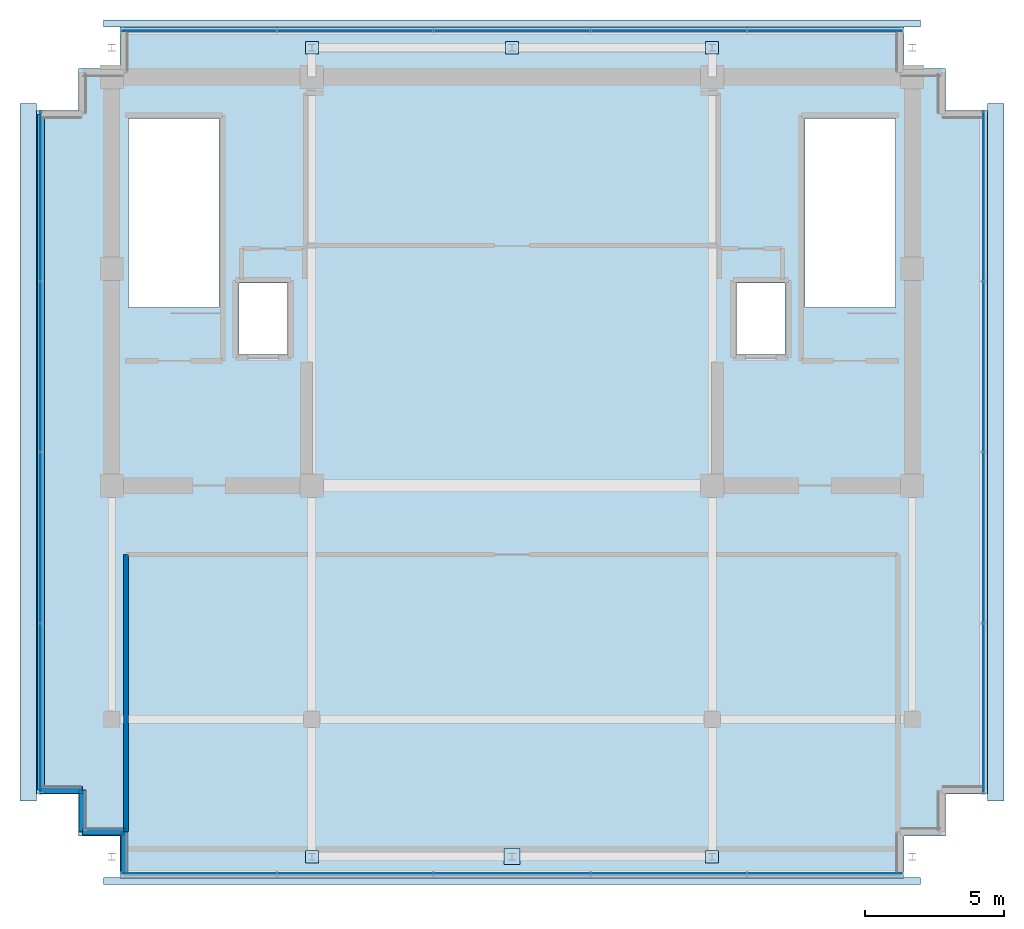
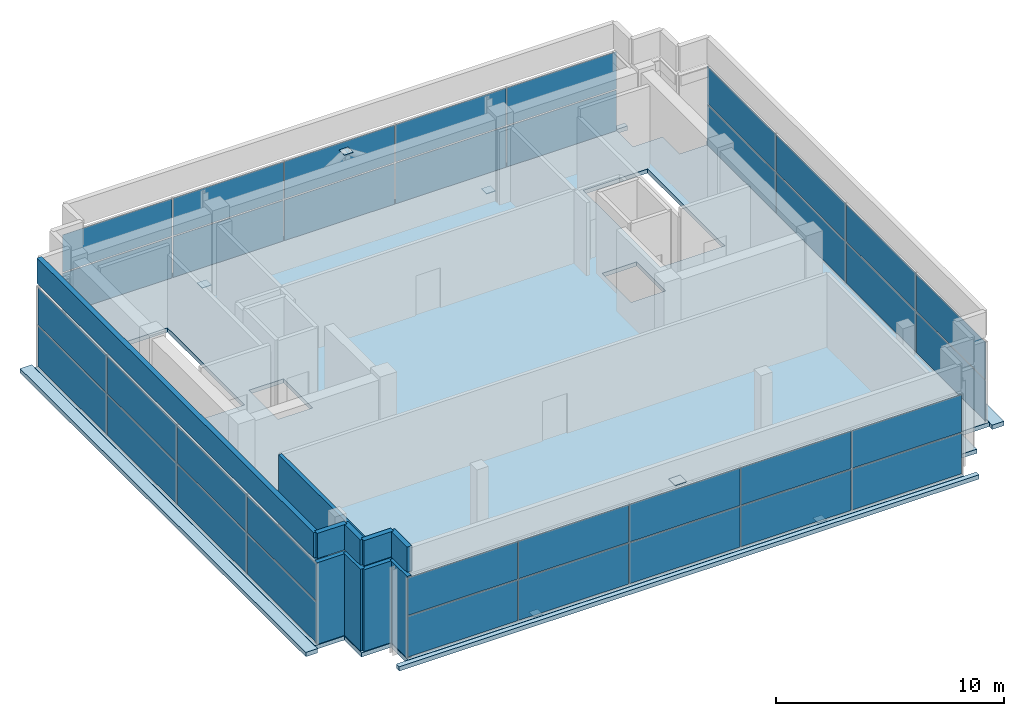
# One storey, part 19 of 22: 42 plates, 10 walls, 5 slabs, 4 elements without a shape of their own.
"""IFC4 building model written with IfcOpenShell, lengths in metres."""

import ifcopenshell
import ifcopenshell.guid

model = None  # the IFC model being written
_history = None  # IfcOwnerHistory: only IFC2X3 demands one
_inside = {}  # id of a spatial element -> (the spatial element, [elements in it])
_under = {}  # id of a project, library or spatial element -> (it, [spatial elements below it])
_declared = {}  # id of a project -> (the project, [libraries it declares])
_typed = {}  # id of a type object -> (the type object, [elements of that type])
_made_of = {}  # id of a material, layer set ... -> (it, [elements and type objects made of it])


def new_model(schema):
    """Start an empty IFC model of exactly this schema.

    Asked for "IFC4X3", IfcOpenShell would pick the latest addendum, in which some entities
    have other attributes; the version numbers below select the first issue.
    IFC2X3 requires an IfcOwnerHistory on every rooted entity: one is made here for all.
    """
    global model, _history
    if schema == "IFC4X3":
        model = ifcopenshell.file(schema_version=(4, 3, 0, 0))
    else:
        model = ifcopenshell.file(schema=schema)
    _inside.clear()
    _under.clear()
    _declared.clear()
    _typed.clear()
    _made_of.clear()
    _history = None
    if model.schema == "IFC2X3":
        org = make("IfcOrganization", Name="unknown")
        user = make(
            "IfcPersonAndOrganization",
            ThePerson=make("IfcPerson", FamilyName="unknown"),
            TheOrganization=org,
        )
        app = make(
            "IfcApplication",
            ApplicationDeveloper=org,
            Version="unknown",
            ApplicationFullName="unknown",
            ApplicationIdentifier="unknown",
        )
        _history = make(
            "IfcOwnerHistory",
            OwningUser=user,
            OwningApplication=app,
            ChangeAction="ADDED",
            CreationDate=0,
        )
    return model


def make(cls, **values):
    """One entity of the class cls with the attributes given. An attribute that is None is left unset."""
    return model.create_entity(
        cls, **{name: value for name, value in values.items() if value is not None}
    )


def rooted(cls, **values):
    """An entity with a GlobalId (a new one), such as an element, a storey or a relation."""
    return make(cls, GlobalId=ifcopenshell.guid.new(), OwnerHistory=_history, **values)


def si_unit(unit_type, name, prefix=None):
    """IfcSIUnit, for example si_unit("LENGTHUNIT", "METRE", prefix="MILLI")."""
    return make("IfcSIUnit", UnitType=unit_type, Prefix=prefix, Name=name)


def assignment(units):
    """IfcUnitAssignment: the units of a project."""
    return None if units is None else make("IfcUnitAssignment", Units=units)


def point(xyz):
    """IfcCartesianPoint."""
    return None if xyz is None else make("IfcCartesianPoint", Coordinates=xyz)


def direction(xyz):
    """IfcDirection."""
    return None if xyz is None else make("IfcDirection", DirectionRatios=xyz)


def frame(location, z_axis=None, x_axis=None):
    """IfcAxis2Placement3D, a coordinate frame: its origin and axes. An axis left out is left unset."""
    return make(
        "IfcAxis2Placement3D",
        Location=point(location),
        Axis=direction(z_axis),
        RefDirection=direction(x_axis),
    )


def frame_2d(location, x_axis=None):
    """IfcAxis2Placement2D, a coordinate frame in the plane: its origin and x axis."""
    return make(
        "IfcAxis2Placement2D", Location=point(location), RefDirection=direction(x_axis)
    )


def origin():
    """The frame at (0, 0, 0) with its axes left unset."""
    return frame((0.0, 0.0, 0.0))


def origin_2d():
    """The frame at (0, 0) in the plane with its x axis left unset."""
    return frame_2d((0.0, 0.0))


def place(relative_to, where):
    """IfcLocalPlacement: puts the frame where relative to a parent placement (None: the world)."""
    return make(
        "IfcLocalPlacement", PlacementRelTo=relative_to, RelativePlacement=where
    )


def context(
    kind, dimensions, precision=None, world=None, true_north=None, identifier=None
):
    """IfcGeometricRepresentationContext, for example the 3D "Model" context."""
    return make(
        "IfcGeometricRepresentationContext",
        ContextIdentifier=identifier,
        ContextType=kind,
        CoordinateSpaceDimension=dimensions,
        Precision=precision,
        WorldCoordinateSystem=world,
        TrueNorth=true_north,
    )


def subcontext(parent, identifier, kind, view, scale=None):
    """IfcGeometricRepresentationSubContext, for example "Body" below "Model"."""
    return make(
        "IfcGeometricRepresentationSubContext",
        ContextIdentifier=identifier,
        ContextType=kind,
        ParentContext=parent,
        TargetScale=scale,
        TargetView=view,
    )


def project(units=None, contexts=None):
    """IfcProject with its units and contexts."""
    return rooted(
        "IfcProject",
        Name="project",
        RepresentationContexts=contexts,
        UnitsInContext=assignment(units),
    )


def spatial(cls, under=None, at=None, **own):
    """A site, building, storey or space (cls), placed at a placement, below another one or the project."""
    s = rooted(cls, ObjectPlacement=at, **own)
    if under is not None:
        _under.setdefault(under.id(), (under, []))[1].append(s)
    return s


def polyline(points):
    """IfcPolyline through the points."""
    return make("IfcPolyline", Points=[point(p) for p in points])


def profile(cls, at=None, kind="AREA", **sizes):
    """A parametric profile (cls). Its sizes go by their IFC names, for example OverallWidth=200.0."""
    return make(cls, ProfileType=kind, Position=at, **sizes)


def rectangle(**sizes):
    """IfcRectangleProfileDef."""
    return profile("IfcRectangleProfileDef", **sizes)


def outline(outer, holes=None, kind="AREA"):
    """IfcArbitraryClosedProfileDef: a profile drawn as a closed curve; with holes, ...WithVoids."""
    if holes is None:
        return make("IfcArbitraryClosedProfileDef", ProfileType=kind, OuterCurve=outer)
    return make(
        "IfcArbitraryProfileDefWithVoids",
        ProfileType=kind,
        OuterCurve=outer,
        InnerCurves=holes,
    )


def extrude(swept, where, along, depth):
    """IfcExtrudedAreaSolid: the profile swept, set in the frame where, extruded along a direction by depth."""
    return make(
        "IfcExtrudedAreaSolid",
        SweptArea=swept,
        Position=where,
        ExtrudedDirection=direction(along),
        Depth=depth,
    )


def shape(context_of_items, identifier, shape_type, items):
    """IfcShapeRepresentation: the items that make up one representation, for example the "Body"."""
    return make(
        "IfcShapeRepresentation",
        ContextOfItems=context_of_items,
        RepresentationIdentifier=identifier,
        RepresentationType=shape_type,
        Items=items,
    )


def source(mapping_origin, context_of_items, identifier, shape_type, items):
    """IfcRepresentationMap: a shape defined once, which mapped items show again and again."""
    return make(
        "IfcRepresentationMap",
        MappingOrigin=mapping_origin,
        MappedRepresentation=shape(context_of_items, identifier, shape_type, items),
    )


def transform(
    local_origin,
    x_axis=None,
    y_axis=None,
    z_axis=None,
    scale=None,
    scale2=None,
    scale3=None,
    uniform=True,
):
    """IfcCartesianTransformationOperator3D, or its non-uniform kind. x_axis, y_axis, z_axis: its Axis1, 2, 3."""
    if uniform:
        return make(
            "IfcCartesianTransformationOperator3D",
            Axis1=direction(x_axis),
            Axis2=direction(y_axis),
            LocalOrigin=point(local_origin),
            Scale=scale,
            Axis3=direction(z_axis),
        )
    return make(
        "IfcCartesianTransformationOperator3DnonUniform",
        Axis1=direction(x_axis),
        Axis2=direction(y_axis),
        LocalOrigin=point(local_origin),
        Scale=scale,
        Axis3=direction(z_axis),
        Scale2=scale2,
        Scale3=scale3,
    )


def mapped(mapping_source, mapping_target):
    """IfcMappedItem: shows the shape of a source again, moved by a transform."""
    return make(
        "IfcMappedItem", MappingSource=mapping_source, MappingTarget=mapping_target
    )


def material(Name=None, Category=None):
    """IfcMaterial."""
    return make("IfcMaterial", Name=Name, Category=Category)


def layer(
    of_material, thickness, ventilated=None, Name=None, Category=None, Priority=None
):
    """IfcMaterialLayer: one layer of a wall or slab, of a material (None: an air gap)."""
    return make(
        "IfcMaterialLayer",
        Material=of_material,
        LayerThickness=thickness,
        IsVentilated=ventilated,
        Name=Name,
        Category=Category,
        Priority=Priority,
    )


def layer_set(layers, Name=None):
    """IfcMaterialLayerSet."""
    return make("IfcMaterialLayerSet", MaterialLayers=layers, LayerSetName=Name)


def made_of(thing, what):
    """Note that an element or type object is made of a material, layer set ...; save() writes the relation."""
    if what is not None:
        _made_of.setdefault(what.id(), (what, []))[1].append(thing)
    return thing


def type_object(cls, material=None, **own):
    """A type object (cls), such as IfcWallType, which elements share."""
    return made_of(rooted(cls, **own), material)


def element(
    cls,
    number,
    at=None,
    inside=None,
    cuts=None,
    type_object=None,
    material=None,
    context=None,
    identifier="Body",
    shape_type=None,
    held_by="IfcProductDefinitionShape",
    body=None,
    shapes=None,
    **own,
):
    """One element of the class cls, such as IfcWall. Its Tag is "e" and its number.

    at: its placement. inside: the storey or other place that contains it. cuts: it is an
    opening in that element (IfcRelVoidsElement). A single representation is given by context,
    identifier, shape_type and body (its items); several are given by shapes. held_by: the class
    of the entity that holds the representations. save() writes the other relations.
    """
    e = rooted(cls, Tag="e%d" % number, ObjectPlacement=at, **own)
    if body is not None:
        shapes = [shape(context, identifier, shape_type, body)]
    if shapes is not None:
        e.Representation = make(held_by, Representations=shapes)
    if inside is not None:
        _inside.setdefault(inside.id(), (inside, []))[1].append(e)
    if cuts is not None:
        rooted(
            "IfcRelVoidsElement", RelatingBuildingElement=cuts, RelatedOpeningElement=e
        )
    if type_object is not None:
        _typed.setdefault(type_object.id(), (type_object, []))[1].append(e)
    return made_of(e, material)


def aggregate(whole, parts):
    """IfcRelAggregates: a whole, such as a stair, and the parts it consists of."""
    return rooted("IfcRelAggregates", RelatingObject=whole, RelatedObjects=parts)


def save(model, path):
    """Write the relations noted so far, then the file.

    IfcRelAggregates (storeys below a building ...), IfcRelContainedInSpatialStructure (elements
    in a storey), IfcRelDefinesByType, IfcRelAssociatesMaterial and IfcRelDeclares: one each for
    every whole, place, type object, material and project.
    """
    for whole, parts in _under.values():
        aggregate(whole, parts)
    for where, things in _inside.values():
        rooted(
            "IfcRelContainedInSpatialStructure",
            RelatedElements=things,
            RelatingStructure=where,
        )
    for kind, things in _typed.values():
        rooted("IfcRelDefinesByType", RelatedObjects=things, RelatingType=kind)
    for what, things in _made_of.values():
        rooted("IfcRelAssociatesMaterial", RelatedObjects=things, RelatingMaterial=what)
    for by, libraries in _declared.values():
        rooted("IfcRelDeclares", RelatingContext=by, RelatedDefinitions=libraries)
    model.write(path)


model = new_model("IFC4")

# Units and contexts
model_context = context("Model", 3, precision=1e-05, world=origin(), true_north=direction((0.0, 1.0)))
body_context = subcontext(model_context, "Body", "Model", "MODEL_VIEW")
ifc_project = project(units=[si_unit("LENGTHUNIT", "METRE"), si_unit("AREAUNIT", "SQUARE_METRE"), si_unit("VOLUMEUNIT", "CUBIC_METRE"), si_unit("PLANEANGLEUNIT", "RADIAN"), si_unit("MASSUNIT", "GRAM", prefix="KILO")], contexts=[model_context])

# Site, building, storey
site_placement = place(None, origin())
site = spatial("IfcSite", under=ifc_project, at=site_placement, CompositionType="ELEMENT")
building_placement = place(site_placement, origin())
building = spatial("IfcBuilding", under=site, at=building_placement, Name="Zarnakvel Exchange Tower", CompositionType="ELEMENT")
storey_placement = place(building_placement, frame((0.0, 0.0, 299.199951171875)))
storey = spatial("IfcBuildingStorey", under=building, at=storey_placement, Name="Crown L83", CompositionType="ELEMENT", Elevation=299.199951171875)

# Slabs
ifc_material_1 = material(Name="Concrete C40/50", Category="concrete")
ifc_layer_1 = layer(ifc_material_1, 0.22998046875)
ifc_layer_set_1 = layer_set([ifc_layer_1], Name="Concrete C40/50")
slab_type_1 = type_object("IfcSlabType", Name="RF-SL1", PredefinedType="ROOF", material=ifc_layer_set_1)
slab_1_placement = place(storey_placement, frame((0.0, 0.0, -0.22998046875)))
element("IfcSlab", 1, at=slab_1_placement, inside=storey, type_object=slab_type_1, Name="Crown L83 Stepped Crown Tier Roof Slab #1", PredefinedType="ROOF", context=body_context, shape_type="SweptSolid", body=[
    extrude(outline(polyline([(14.699951171875, -15.550048828125), (-14.699951171875, -15.550048828125), (-14.699951171875, -15.300048828125), (-14.110107421875, -15.300048828125), (-14.110107421875, -15.31005859375), (14.110107421875, -15.31005859375), (14.110107421875, -15.300048828125), (14.699951171875, -15.300048828125), (14.699951171875, -15.550048828125)])), origin(), (0.0, 0.0, 1.0), 0.22998046875),
])
slab_2_placement = place(storey_placement, frame((0.0, 0.0, -0.22998046875)))
element("IfcSlab", 2, at=slab_2_placement, inside=storey, type_object=slab_type_1, Name="Crown L83 Stepped Crown Tier Roof Slab #2", PredefinedType="ROOF", context=body_context, shape_type="SweptSolid", body=[
    extrude(outline(polyline([(-14.699951171875, 15.550048828125), (14.699951171875, 15.550048828125), (14.699951171875, 15.300048828125), (14.110107421875, 15.300048828125), (14.110107421875, 15.31005859375), (-14.110107421875, 15.31005859375), (-14.110107421875, 15.300048828125), (-14.699951171875, 15.300048828125), (-14.699951171875, 15.550048828125)])), origin(), (0.0, 0.0, 1.0), 0.22998046875),
])
slab_3_placement = place(storey_placement, frame((0.0, 0.0, -0.22998046875)))
element("IfcSlab", 3, at=slab_3_placement, inside=storey, type_object=slab_type_1, Name="Crown L83 Stepped Crown Tier Roof Slab #3", PredefinedType="ROOF", context=body_context, shape_type="SweptSolid", body=[
    extrude(outline(polyline([(-17.10009765625, 12.550048828125), (-17.10009765625, 12.31005859375), (-17.110107421875, 12.31005859375), (-17.110107421875, -12.31005859375), (-17.10009765625, -12.31005859375), (-17.10009765625, -12.550048828125), (-17.699951171875, -12.550048828125), (-17.699951171875, 12.550048828125), (-17.10009765625, 12.550048828125)])), origin(), (0.0, 0.0, 1.0), 0.22998046875),
])
slab_4_placement = place(storey_placement, frame((0.0, 0.0, -0.22998046875)))
element("IfcSlab", 4, at=slab_4_placement, inside=storey, type_object=slab_type_1, Name="Crown L83 Stepped Crown Tier Roof Slab #4", PredefinedType="ROOF", context=body_context, shape_type="SweptSolid", body=[
    extrude(outline(polyline([(17.699951171875, 12.550048828125), (17.699951171875, -12.550048828125), (17.10009765625, -12.550048828125), (17.10009765625, -12.31005859375), (17.110107421875, -12.31005859375), (17.110107421875, 12.31005859375), (17.10009765625, 12.31005859375), (17.10009765625, 12.550048828125), (17.699951171875, 12.550048828125)])), origin(), (0.0, 0.0, 1.0), 0.22998046875),
])
ifc_layer_2 = layer(ifc_material_1, 0.219970703125)
ifc_layer_set_2 = layer_set([ifc_layer_2], Name="Concrete C40/50")
slab_type_2 = type_object("IfcSlabType", Name="SL-05", PredefinedType="FLOOR", material=ifc_layer_set_2)
slab_5_placement = place(storey_placement, frame((0.0, 0.0, -0.219970703125)))
element("IfcSlab", 5, at=slab_5_placement, inside=storey, type_object=slab_type_2, Name="Crown L83 Primary Structural Floor Slab", PredefinedType="FLOOR", context=body_context, shape_type="SweptSolid", body=[
    extrude(outline(polyline([(-17.10009765625, -12.300048828125), (-15.60009765625, -12.300048828125), (-15.60009765625, -13.800048828125), (-14.10009765625, -13.800048828125), (-14.10009765625, -15.300048828125), (14.10009765625, -15.300048828125), (14.10009765625, -13.800048828125), (15.60009765625, -13.800048828125), (15.60009765625, -12.300048828125), (17.10009765625, -12.300048828125), (17.10009765625, 12.300048828125), (15.60009765625, 12.300048828125), (15.60009765625, 13.800048828125), (14.10009765625, 13.800048828125), (14.10009765625, 15.300048828125), (-14.10009765625, 15.300048828125), (-14.10009765625, 13.800048828125), (-15.60009765625, 13.800048828125), (-15.60009765625, 12.300048828125), (-17.10009765625, 12.300048828125), (-17.10009765625, -12.300048828125)]), holes=[polyline([(-13.800048828125, 5.2099609375), (-10.5400390625, 5.2099609375), (-10.5400390625, 12.0), (-13.800048828125, 12.0), (-13.800048828125, 5.2099609375)]), polyline([(10.5400390625, 5.2099609375), (13.800048828125, 5.2099609375), (13.800048828125, 12.0), (10.5400390625, 12.0), (10.5400390625, 5.2099609375)]), polyline([(-9.830078125, 3.52001953125), (-8.070068359375, 3.52001953125), (-8.070068359375, 6.080078125), (-9.830078125, 6.080078125), (-9.830078125, 3.52001953125)]), polyline([(8.070068359375, 3.52001953125), (9.830078125, 3.52001953125), (9.830078125, 6.080078125), (8.070068359375, 6.080078125), (8.070068359375, 3.52001953125)])]), origin(), (0.0, 0.0, 1.0), 0.219970703125),
])

# Plates
ifc_material_2 = material(Name="Steel S355", Category="steel")
ifc_layer_3 = layer(ifc_material_2, 0.028076171875)
ifc_layer_set_3 = layer_set([ifc_layer_3], Name="Steel S355")
plate_type_1 = type_object("IfcPlateType", Name="BP-02", PredefinedType="USERDEFINED", material=ifc_layer_set_3)
shared_shape_1 = source(origin(), body_context, "Body", "SweptSolid", [
    extrude(rectangle(XDim=0.4599609375, YDim=0.4599609375, at=origin_2d()), origin(), (0.0, 0.0, 1.0), 0.028076171875),
])
for number, where, z_axis, x_axis, name in (
    (6, (-7.199951171875, -14.550048828125, -0.3740234375), (0.0, 0.0, 1.0), (1.0, 0.0, 0.0), "Crown L83 Crown Member End Cap Plate"),
    (7, (7.199951171875, -14.550048828125, -0.3740234375), (0.0, 0.0, 1.0), (1.0, 0.0, 0.0), "Crown L83 Crown Member End Cap Plate"),
    (8, (-7.199951171875, 14.550048828125, -0.3740234375), (0.0, 0.0, 1.0), (1.0, 0.0, 0.0), "Crown L83 Crown Member End Cap Plate"),
    (9, (0.0, 14.550048828125, 4.22607421875), (0.0, 0.0, 1.0), (1.0, 0.0, 0.0), "Crown L83 Crown Member End Cap Plate"),
    (10, (7.199951171875, 14.550048828125, -0.3740234375), (0.0, 0.0, 1.0), (1.0, 0.0, 0.0), "Crown L83 Crown Member End Cap Plate"),
):
    element("IfcPlate", number, at=place(storey_placement, frame(where, z_axis=z_axis, x_axis=x_axis)), inside=storey, type_object=plate_type_1, Name=name, ObjectType="BASE_PLATE", PredefinedType="USERDEFINED", context=body_context, shape_type="MappedRepresentation", body=[
        mapped(shared_shape_1, transform((0.0, 0.0, 0.0), x_axis=(1.0, 0.0, 0.0), y_axis=(0.0, 1.0, 0.0), z_axis=(0.0, 0.0, 1.0), scale=1.0)),
    ])
ifc_layer_4 = layer(ifc_material_2, 0.02490234375)
ifc_layer_set_4 = layer_set([ifc_layer_4], Name="Steel S355")
plate_type_2 = type_object("IfcPlateType", Name="VN4", PredefinedType="USERDEFINED", material=ifc_layer_set_4)
shared_shape_2 = source(origin(), body_context, "Body", "SweptSolid", [
    extrude(rectangle(XDim=0.580078125, YDim=0.580078125, at=origin_2d()), origin(), (0.0, 0.0, 1.0), 0.02490234375),
])
plate_1_placement = place(storey_placement, frame((0.0, -14.550048828125, 4.2275390625), z_axis=(0.0, 0.0, 1.0), x_axis=(1.0, 0.0, 0.0)))
element("IfcPlate", 11, at=plate_1_placement, inside=storey, type_object=plate_type_2, Name="Crown L83 Stepped Crown Gusset VN4", ObjectType="GUSSET_PLATE", PredefinedType="USERDEFINED", context=body_context, shape_type="MappedRepresentation", body=[
    mapped(shared_shape_2, transform((0.0, 0.0, 0.0), x_axis=(1.0, 0.0, 0.0), y_axis=(0.0, 1.0, 0.0), z_axis=(0.0, 0.0, 1.0), scale=1.0)),
])

# Curtain wall, plates
ifc_material_3 = material(Name="Architectural Bronze Anodised Aluminium", Category="aluminium")
ifc_layer_5 = layer(ifc_material_3, 0.14990234375)
ifc_layer_set_5 = layer_set([ifc_layer_5], Name="Architectural Bronze Anodised Aluminium")
curtain_wall_type = type_object("IfcCurtainWallType", Name="CW-07", PredefinedType="NOTDEFINED", material=ifc_layer_set_5)
curtain_wall_1_placement = place(storey_placement, origin())
curtain_wall_1 = element("IfcCurtainWall", 12, at=curtain_wall_1_placement, inside=storey, type_object=curtain_wall_type, Name="Crown L83 Curtain Wall CW-Crown L83-S (CW-07)", PredefinedType="NOTDEFINED")
ifc_material_4 = material(Name="Insulated Bronze Aluminium Spandrel Panel", Category="aluminium")
ifc_layer_6 = layer(ifc_material_4, 0.02392578125)
ifc_layer_set_6 = layer_set([ifc_layer_6], Name="Insulated Bronze Aluminium Spandrel Panel")
plate_type_3 = type_object("IfcPlateType", Name="CWP-07", PredefinedType="CURTAIN_PANEL", material=ifc_layer_set_6)
shared_shape_3 = source(origin(), body_context, "Body", "SweptSolid", [
    extrude(rectangle(XDim=5.550048828125, YDim=0.02392578125, at=origin_2d()), origin(), (0.0, 0.0, 1.0), 2.17724609375),
])
plate_2_placement = place(storey_placement, frame((-11.264892578125, -15.159912109375, 0.06005859375), z_axis=(0.0, 0.0, 1.0), x_axis=(1.0, 0.0, 0.0)))
plate_2 = element("IfcPlate", 13, at=plate_2_placement, type_object=plate_type_3, Name="CW-07 panel 1.1", PredefinedType="CURTAIN_PANEL", context=body_context, shape_type="MappedRepresentation", body=[
    mapped(shared_shape_3, transform((0.0, 0.0, 0.0), x_axis=(1.0, 0.0, 0.0), y_axis=(0.0, 1.0, 0.0), z_axis=(0.0, 0.0, 1.0), scale=1.0)),
])
plate_3_placement = place(storey_placement, frame((11.264892578125, -15.159912109375, 0.06005859375), z_axis=(0.0, 0.0, 1.0), x_axis=(1.0, 0.0, 0.0)))
plate_3 = element("IfcPlate", 14, at=plate_3_placement, type_object=plate_type_3, Name="CW-07 panel 5.1", PredefinedType="CURTAIN_PANEL", context=body_context, shape_type="MappedRepresentation", body=[
    mapped(shared_shape_3, transform((0.0, 0.0, 0.0), x_axis=(1.0, 0.0, 0.0), y_axis=(0.0, 1.0, 0.0), z_axis=(0.0, 0.0, 1.0), scale=1.0)),
])

curtain_wall_2_placement = place(storey_placement, origin())
curtain_wall_2 = element("IfcCurtainWall", 15, at=curtain_wall_2_placement, inside=storey, type_object=curtain_wall_type, Name="Crown L83 Curtain Wall CW-Crown L83-N (CW-07)", PredefinedType="NOTDEFINED")
plate_4_placement = place(storey_placement, frame((-11.264892578125, 15.159912109375, 0.06005859375), z_axis=(0.0, 0.0, 1.0), x_axis=(1.0, 0.0, 0.0)))
plate_4 = element("IfcPlate", 16, at=plate_4_placement, type_object=plate_type_3, Name="CW-07 panel 1.1", PredefinedType="CURTAIN_PANEL", context=body_context, shape_type="MappedRepresentation", body=[
    mapped(shared_shape_3, transform((0.0, 0.0, 0.0), x_axis=(1.0, 0.0, 0.0), y_axis=(0.0, 1.0, 0.0), z_axis=(0.0, 0.0, 1.0), scale=1.0)),
])
plate_5_placement = place(storey_placement, frame((11.264892578125, 15.159912109375, 0.06005859375), z_axis=(0.0, 0.0, 1.0), x_axis=(1.0, 0.0, 0.0)))
plate_5 = element("IfcPlate", 17, at=plate_5_placement, type_object=plate_type_3, Name="CW-07 panel 5.1", PredefinedType="CURTAIN_PANEL", context=body_context, shape_type="MappedRepresentation", body=[
    mapped(shared_shape_3, transform((0.0, 0.0, 0.0), x_axis=(1.0, 0.0, 0.0), y_axis=(0.0, 1.0, 0.0), z_axis=(0.0, 0.0, 1.0), scale=1.0)),
])

# Plate
shared_shape_4 = source(origin(), body_context, "Body", "SweptSolid", [
    extrude(rectangle(XDim=5.550048828125, YDim=0.02392578125, at=origin_2d()), origin(), (0.0, 0.0, 1.0), 2.002685546875),
])
plate_6_placement = place(storey_placement, frame((-11.264892578125, -15.159912109375, 2.29736328125), z_axis=(0.0, 0.0, 1.0), x_axis=(1.0, 0.0, 0.0)))
plate_6 = element("IfcPlate", 18, at=plate_6_placement, type_object=plate_type_3, Name="CW-07 panel 1.2", PredefinedType="CURTAIN_PANEL", context=body_context, shape_type="MappedRepresentation", body=[
    mapped(shared_shape_4, transform((0.0, 0.0, 0.0), x_axis=(1.0, 0.0, 0.0), y_axis=(0.0, 1.0, 0.0), z_axis=(0.0, 0.0, 1.0), scale=1.0)),
])

plate_7_placement = place(storey_placement, frame((11.264892578125, -15.159912109375, 2.29736328125), z_axis=(0.0, 0.0, 1.0), x_axis=(1.0, 0.0, 0.0)))
plate_7 = element("IfcPlate", 19, at=plate_7_placement, type_object=plate_type_3, Name="CW-07 panel 5.2", PredefinedType="CURTAIN_PANEL", context=body_context, shape_type="MappedRepresentation", body=[
    mapped(shared_shape_4, transform((0.0, 0.0, 0.0), x_axis=(1.0, 0.0, 0.0), y_axis=(0.0, 1.0, 0.0), z_axis=(0.0, 0.0, 1.0), scale=1.0)),
])

plate_8_placement = place(storey_placement, frame((-11.264892578125, 15.159912109375, 2.29736328125), z_axis=(0.0, 0.0, 1.0), x_axis=(1.0, 0.0, 0.0)))
plate_8 = element("IfcPlate", 20, at=plate_8_placement, type_object=plate_type_3, Name="CW-07 panel 1.2", PredefinedType="CURTAIN_PANEL", context=body_context, shape_type="MappedRepresentation", body=[
    mapped(shared_shape_4, transform((0.0, 0.0, 0.0), x_axis=(1.0, 0.0, 0.0), y_axis=(0.0, 1.0, 0.0), z_axis=(0.0, 0.0, 1.0), scale=1.0)),
])

plate_9_placement = place(storey_placement, frame((11.264892578125, 15.159912109375, 2.29736328125), z_axis=(0.0, 0.0, 1.0), x_axis=(1.0, 0.0, 0.0)))
plate_9 = element("IfcPlate", 21, at=plate_9_placement, type_object=plate_type_3, Name="CW-07 panel 5.2", PredefinedType="CURTAIN_PANEL", context=body_context, shape_type="MappedRepresentation", body=[
    mapped(shared_shape_4, transform((0.0, 0.0, 0.0), x_axis=(1.0, 0.0, 0.0), y_axis=(0.0, 1.0, 0.0), z_axis=(0.0, 0.0, 1.0), scale=1.0)),
])

shared_shape_5 = source(origin(), body_context, "Body", "SweptSolid", [
    extrude(rectangle(XDim=5.580078125, YDim=0.02392578125, at=origin_2d()), origin(), (0.0, 0.0, 1.0), 2.17724609375),
])
plate_10_placement = place(storey_placement, frame((-5.639892578125, -15.159912109375, 0.06005859375), z_axis=(0.0, 0.0, 1.0), x_axis=(1.0, 0.0, 0.0)))
plate_10 = element("IfcPlate", 22, at=plate_10_placement, type_object=plate_type_3, Name="CW-07 panel 2.1", PredefinedType="CURTAIN_PANEL", context=body_context, shape_type="MappedRepresentation", body=[
    mapped(shared_shape_5, transform((0.0, 0.0, 0.0), x_axis=(1.0, 0.0, 0.0), y_axis=(0.0, 1.0, 0.0), z_axis=(0.0, 0.0, 1.0), scale=1.0)),
])

plate_11_placement = place(storey_placement, frame((0.0, -15.159912109375, 0.06005859375), z_axis=(0.0, 0.0, 1.0), x_axis=(1.0, 0.0, 0.0)))
plate_11 = element("IfcPlate", 23, at=plate_11_placement, type_object=plate_type_3, Name="CW-07 panel 3.1", PredefinedType="CURTAIN_PANEL", context=body_context, shape_type="MappedRepresentation", body=[
    mapped(shared_shape_5, transform((0.0, 0.0, 0.0), x_axis=(1.0, 0.0, 0.0), y_axis=(0.0, 1.0, 0.0), z_axis=(0.0, 0.0, 1.0), scale=1.0)),
])

plate_12_placement = place(storey_placement, frame((5.639892578125, -15.159912109375, 0.06005859375), z_axis=(0.0, 0.0, 1.0), x_axis=(1.0, 0.0, 0.0)))
plate_12 = element("IfcPlate", 24, at=plate_12_placement, type_object=plate_type_3, Name="CW-07 panel 4.1", PredefinedType="CURTAIN_PANEL", context=body_context, shape_type="MappedRepresentation", body=[
    mapped(shared_shape_5, transform((0.0, 0.0, 0.0), x_axis=(1.0, 0.0, 0.0), y_axis=(0.0, 1.0, 0.0), z_axis=(0.0, 0.0, 1.0), scale=1.0)),
])

plate_13_placement = place(storey_placement, frame((-5.639892578125, 15.159912109375, 0.06005859375), z_axis=(0.0, 0.0, 1.0), x_axis=(1.0, 0.0, 0.0)))
plate_13 = element("IfcPlate", 25, at=plate_13_placement, type_object=plate_type_3, Name="CW-07 panel 2.1", PredefinedType="CURTAIN_PANEL", context=body_context, shape_type="MappedRepresentation", body=[
    mapped(shared_shape_5, transform((0.0, 0.0, 0.0), x_axis=(1.0, 0.0, 0.0), y_axis=(0.0, 1.0, 0.0), z_axis=(0.0, 0.0, 1.0), scale=1.0)),
])

plate_14_placement = place(storey_placement, frame((0.0, 15.159912109375, 0.06005859375), z_axis=(0.0, 0.0, 1.0), x_axis=(1.0, 0.0, 0.0)))
plate_14 = element("IfcPlate", 26, at=plate_14_placement, type_object=plate_type_3, Name="CW-07 panel 3.1", PredefinedType="CURTAIN_PANEL", context=body_context, shape_type="MappedRepresentation", body=[
    mapped(shared_shape_5, transform((0.0, 0.0, 0.0), x_axis=(1.0, 0.0, 0.0), y_axis=(0.0, 1.0, 0.0), z_axis=(0.0, 0.0, 1.0), scale=1.0)),
])

plate_15_placement = place(storey_placement, frame((5.639892578125, 15.159912109375, 0.06005859375), z_axis=(0.0, 0.0, 1.0), x_axis=(1.0, 0.0, 0.0)))
plate_15 = element("IfcPlate", 27, at=plate_15_placement, type_object=plate_type_3, Name="CW-07 panel 4.1", PredefinedType="CURTAIN_PANEL", context=body_context, shape_type="MappedRepresentation", body=[
    mapped(shared_shape_5, transform((0.0, 0.0, 0.0), x_axis=(1.0, 0.0, 0.0), y_axis=(0.0, 1.0, 0.0), z_axis=(0.0, 0.0, 1.0), scale=1.0)),
])

shared_shape_6 = source(origin(), body_context, "Body", "SweptSolid", [
    extrude(rectangle(XDim=5.580078125, YDim=0.02392578125, at=origin_2d()), origin(), (0.0, 0.0, 1.0), 2.002685546875),
])
plate_16_placement = place(storey_placement, frame((-5.639892578125, -15.159912109375, 2.29736328125), z_axis=(0.0, 0.0, 1.0), x_axis=(1.0, 0.0, 0.0)))
plate_16 = element("IfcPlate", 28, at=plate_16_placement, type_object=plate_type_3, Name="CW-07 panel 2.2", PredefinedType="CURTAIN_PANEL", context=body_context, shape_type="MappedRepresentation", body=[
    mapped(shared_shape_6, transform((0.0, 0.0, 0.0), x_axis=(1.0, 0.0, 0.0), y_axis=(0.0, 1.0, 0.0), z_axis=(0.0, 0.0, 1.0), scale=1.0)),
])

plate_17_placement = place(storey_placement, frame((0.0, -15.159912109375, 2.29736328125), z_axis=(0.0, 0.0, 1.0), x_axis=(1.0, 0.0, 0.0)))
plate_17 = element("IfcPlate", 29, at=plate_17_placement, type_object=plate_type_3, Name="CW-07 panel 3.2", PredefinedType="CURTAIN_PANEL", context=body_context, shape_type="MappedRepresentation", body=[
    mapped(shared_shape_6, transform((0.0, 0.0, 0.0), x_axis=(1.0, 0.0, 0.0), y_axis=(0.0, 1.0, 0.0), z_axis=(0.0, 0.0, 1.0), scale=1.0)),
])

plate_18_placement = place(storey_placement, frame((5.639892578125, -15.159912109375, 2.29736328125), z_axis=(0.0, 0.0, 1.0), x_axis=(1.0, 0.0, 0.0)))
plate_18 = element("IfcPlate", 30, at=plate_18_placement, type_object=plate_type_3, Name="CW-07 panel 4.2", PredefinedType="CURTAIN_PANEL", context=body_context, shape_type="MappedRepresentation", body=[
    mapped(shared_shape_6, transform((0.0, 0.0, 0.0), x_axis=(1.0, 0.0, 0.0), y_axis=(0.0, 1.0, 0.0), z_axis=(0.0, 0.0, 1.0), scale=1.0)),
])

aggregate(curtain_wall_1, [plate_2, plate_6, plate_10, plate_16, plate_11, plate_17, plate_12, plate_18, plate_3, plate_7])

plate_19_placement = place(storey_placement, frame((-5.639892578125, 15.159912109375, 2.29736328125), z_axis=(0.0, 0.0, 1.0), x_axis=(1.0, 0.0, 0.0)))
plate_19 = element("IfcPlate", 31, at=plate_19_placement, type_object=plate_type_3, Name="CW-07 panel 2.2", PredefinedType="CURTAIN_PANEL", context=body_context, shape_type="MappedRepresentation", body=[
    mapped(shared_shape_6, transform((0.0, 0.0, 0.0), x_axis=(1.0, 0.0, 0.0), y_axis=(0.0, 1.0, 0.0), z_axis=(0.0, 0.0, 1.0), scale=1.0)),
])

plate_20_placement = place(storey_placement, frame((0.0, 15.159912109375, 2.29736328125), z_axis=(0.0, 0.0, 1.0), x_axis=(1.0, 0.0, 0.0)))
plate_20 = element("IfcPlate", 32, at=plate_20_placement, type_object=plate_type_3, Name="CW-07 panel 3.2", PredefinedType="CURTAIN_PANEL", context=body_context, shape_type="MappedRepresentation", body=[
    mapped(shared_shape_6, transform((0.0, 0.0, 0.0), x_axis=(1.0, 0.0, 0.0), y_axis=(0.0, 1.0, 0.0), z_axis=(0.0, 0.0, 1.0), scale=1.0)),
])

plate_21_placement = place(storey_placement, frame((5.639892578125, 15.159912109375, 2.29736328125), z_axis=(0.0, 0.0, 1.0), x_axis=(1.0, 0.0, 0.0)))
plate_21 = element("IfcPlate", 33, at=plate_21_placement, type_object=plate_type_3, Name="CW-07 panel 4.2", PredefinedType="CURTAIN_PANEL", context=body_context, shape_type="MappedRepresentation", body=[
    mapped(shared_shape_6, transform((0.0, 0.0, 0.0), x_axis=(1.0, 0.0, 0.0), y_axis=(0.0, 1.0, 0.0), z_axis=(0.0, 0.0, 1.0), scale=1.0)),
])

aggregate(curtain_wall_2, [plate_4, plate_8, plate_13, plate_19, plate_14, plate_20, plate_15, plate_21, plate_5, plate_9])

# Curtain wall, plates
curtain_wall_3_placement = place(storey_placement, origin())
curtain_wall_3 = element("IfcCurtainWall", 34, at=curtain_wall_3_placement, inside=storey, type_object=curtain_wall_type, Name="Crown L83 Curtain Wall CW-Crown L83-W (CW-07)", PredefinedType="NOTDEFINED")
shared_shape_7 = source(origin(), body_context, "Body", "SweptSolid", [
    extrude(rectangle(XDim=6.06005859375, YDim=0.02392578125, at=origin_2d()), origin(), (0.0, 0.0, 1.0), 2.17724609375),
])
plate_22_placement = place(storey_placement, frame((-16.9599609375, -9.2099609375, 0.06005859375), z_axis=(0.0, 0.0, 1.0), x_axis=(0.0, 1.0, 0.0)))
plate_22 = element("IfcPlate", 35, at=plate_22_placement, type_object=plate_type_3, Name="CW-07 panel 1.1", PredefinedType="CURTAIN_PANEL", context=body_context, shape_type="MappedRepresentation", body=[
    mapped(shared_shape_7, transform((0.0, 0.0, 0.0), x_axis=(1.0, 0.0, 0.0), y_axis=(0.0, 1.0, 0.0), z_axis=(0.0, 0.0, 1.0), scale=1.0)),
])
plate_23_placement = place(storey_placement, frame((-16.9599609375, 9.2099609375, 0.06005859375), z_axis=(0.0, 0.0, 1.0), x_axis=(0.0, 1.0, 0.0)))
plate_23 = element("IfcPlate", 36, at=plate_23_placement, type_object=plate_type_3, Name="CW-07 panel 4.1", PredefinedType="CURTAIN_PANEL", context=body_context, shape_type="MappedRepresentation", body=[
    mapped(shared_shape_7, transform((0.0, 0.0, 0.0), x_axis=(1.0, 0.0, 0.0), y_axis=(0.0, 1.0, 0.0), z_axis=(0.0, 0.0, 1.0), scale=1.0)),
])

curtain_wall_4_placement = place(storey_placement, origin())
curtain_wall_4 = element("IfcCurtainWall", 37, at=curtain_wall_4_placement, inside=storey, type_object=curtain_wall_type, Name="Crown L83 Curtain Wall CW-Crown L83-E (CW-07)", PredefinedType="NOTDEFINED")
plate_24_placement = place(storey_placement, frame((16.9599609375, -9.2099609375, 0.06005859375), z_axis=(0.0, 0.0, 1.0), x_axis=(0.0, 1.0, 0.0)))
plate_24 = element("IfcPlate", 38, at=plate_24_placement, type_object=plate_type_3, Name="CW-07 panel 1.1", PredefinedType="CURTAIN_PANEL", context=body_context, shape_type="MappedRepresentation", body=[
    mapped(shared_shape_7, transform((0.0, 0.0, 0.0), x_axis=(1.0, 0.0, 0.0), y_axis=(0.0, 1.0, 0.0), z_axis=(0.0, 0.0, 1.0), scale=1.0)),
])
plate_25_placement = place(storey_placement, frame((16.9599609375, 9.2099609375, 0.06005859375), z_axis=(0.0, 0.0, 1.0), x_axis=(0.0, 1.0, 0.0)))
plate_25 = element("IfcPlate", 39, at=plate_25_placement, type_object=plate_type_3, Name="CW-07 panel 4.1", PredefinedType="CURTAIN_PANEL", context=body_context, shape_type="MappedRepresentation", body=[
    mapped(shared_shape_7, transform((0.0, 0.0, 0.0), x_axis=(1.0, 0.0, 0.0), y_axis=(0.0, 1.0, 0.0), z_axis=(0.0, 0.0, 1.0), scale=1.0)),
])

# Plate
shared_shape_8 = source(origin(), body_context, "Body", "SweptSolid", [
    extrude(rectangle(XDim=6.06005859375, YDim=0.02392578125, at=origin_2d()), origin(), (0.0, 0.0, 1.0), 2.002685546875),
])
plate_26_placement = place(storey_placement, frame((-16.9599609375, -9.2099609375, 2.29736328125), z_axis=(0.0, 0.0, 1.0), x_axis=(0.0, 1.0, 0.0)))
plate_26 = element("IfcPlate", 40, at=plate_26_placement, type_object=plate_type_3, Name="CW-07 panel 1.2", PredefinedType="CURTAIN_PANEL", context=body_context, shape_type="MappedRepresentation", body=[
    mapped(shared_shape_8, transform((0.0, 0.0, 0.0), x_axis=(1.0, 0.0, 0.0), y_axis=(0.0, 1.0, 0.0), z_axis=(0.0, 0.0, 1.0), scale=1.0)),
])

plate_27_placement = place(storey_placement, frame((-16.9599609375, 9.2099609375, 2.29736328125), z_axis=(0.0, 0.0, 1.0), x_axis=(0.0, 1.0, 0.0)))
plate_27 = element("IfcPlate", 41, at=plate_27_placement, type_object=plate_type_3, Name="CW-07 panel 4.2", PredefinedType="CURTAIN_PANEL", context=body_context, shape_type="MappedRepresentation", body=[
    mapped(shared_shape_8, transform((0.0, 0.0, 0.0), x_axis=(1.0, 0.0, 0.0), y_axis=(0.0, 1.0, 0.0), z_axis=(0.0, 0.0, 1.0), scale=1.0)),
])

plate_28_placement = place(storey_placement, frame((16.9599609375, -9.2099609375, 2.29736328125), z_axis=(0.0, 0.0, 1.0), x_axis=(0.0, 1.0, 0.0)))
plate_28 = element("IfcPlate", 42, at=plate_28_placement, type_object=plate_type_3, Name="CW-07 panel 1.2", PredefinedType="CURTAIN_PANEL", context=body_context, shape_type="MappedRepresentation", body=[
    mapped(shared_shape_8, transform((0.0, 0.0, 0.0), x_axis=(1.0, 0.0, 0.0), y_axis=(0.0, 1.0, 0.0), z_axis=(0.0, 0.0, 1.0), scale=1.0)),
])

plate_29_placement = place(storey_placement, frame((16.9599609375, 9.2099609375, 2.29736328125), z_axis=(0.0, 0.0, 1.0), x_axis=(0.0, 1.0, 0.0)))
plate_29 = element("IfcPlate", 43, at=plate_29_placement, type_object=plate_type_3, Name="CW-07 panel 4.2", PredefinedType="CURTAIN_PANEL", context=body_context, shape_type="MappedRepresentation", body=[
    mapped(shared_shape_8, transform((0.0, 0.0, 0.0), x_axis=(1.0, 0.0, 0.0), y_axis=(0.0, 1.0, 0.0), z_axis=(0.0, 0.0, 1.0), scale=1.0)),
])

shared_shape_9 = source(origin(), body_context, "Body", "SweptSolid", [
    extrude(rectangle(XDim=6.090087890625, YDim=0.02392578125, at=origin_2d()), origin(), (0.0, 0.0, 1.0), 2.17724609375),
])
plate_30_placement = place(storey_placement, frame((-16.9599609375, -3.074951171875, 0.06005859375), z_axis=(0.0, 0.0, 1.0), x_axis=(0.0, 1.0, 0.0)))
plate_30 = element("IfcPlate", 44, at=plate_30_placement, type_object=plate_type_3, Name="CW-07 panel 2.1", PredefinedType="CURTAIN_PANEL", context=body_context, shape_type="MappedRepresentation", body=[
    mapped(shared_shape_9, transform((0.0, 0.0, 0.0), x_axis=(1.0, 0.0, 0.0), y_axis=(0.0, 1.0, 0.0), z_axis=(0.0, 0.0, 1.0), scale=1.0)),
])

plate_31_placement = place(storey_placement, frame((-16.9599609375, 3.074951171875, 0.06005859375), z_axis=(0.0, 0.0, 1.0), x_axis=(0.0, 1.0, 0.0)))
plate_31 = element("IfcPlate", 45, at=plate_31_placement, type_object=plate_type_3, Name="CW-07 panel 3.1", PredefinedType="CURTAIN_PANEL", context=body_context, shape_type="MappedRepresentation", body=[
    mapped(shared_shape_9, transform((0.0, 0.0, 0.0), x_axis=(1.0, 0.0, 0.0), y_axis=(0.0, 1.0, 0.0), z_axis=(0.0, 0.0, 1.0), scale=1.0)),
])

plate_32_placement = place(storey_placement, frame((16.9599609375, -3.074951171875, 0.06005859375), z_axis=(0.0, 0.0, 1.0), x_axis=(0.0, 1.0, 0.0)))
plate_32 = element("IfcPlate", 46, at=plate_32_placement, type_object=plate_type_3, Name="CW-07 panel 2.1", PredefinedType="CURTAIN_PANEL", context=body_context, shape_type="MappedRepresentation", body=[
    mapped(shared_shape_9, transform((0.0, 0.0, 0.0), x_axis=(1.0, 0.0, 0.0), y_axis=(0.0, 1.0, 0.0), z_axis=(0.0, 0.0, 1.0), scale=1.0)),
])

plate_33_placement = place(storey_placement, frame((16.9599609375, 3.074951171875, 0.06005859375), z_axis=(0.0, 0.0, 1.0), x_axis=(0.0, 1.0, 0.0)))
plate_33 = element("IfcPlate", 47, at=plate_33_placement, type_object=plate_type_3, Name="CW-07 panel 3.1", PredefinedType="CURTAIN_PANEL", context=body_context, shape_type="MappedRepresentation", body=[
    mapped(shared_shape_9, transform((0.0, 0.0, 0.0), x_axis=(1.0, 0.0, 0.0), y_axis=(0.0, 1.0, 0.0), z_axis=(0.0, 0.0, 1.0), scale=1.0)),
])

shared_shape_10 = source(origin(), body_context, "Body", "SweptSolid", [
    extrude(rectangle(XDim=6.090087890625, YDim=0.02392578125, at=origin_2d()), origin(), (0.0, 0.0, 1.0), 2.002685546875),
])
plate_34_placement = place(storey_placement, frame((-16.9599609375, -3.074951171875, 2.29736328125), z_axis=(0.0, 0.0, 1.0), x_axis=(0.0, 1.0, 0.0)))
plate_34 = element("IfcPlate", 48, at=plate_34_placement, type_object=plate_type_3, Name="CW-07 panel 2.2", PredefinedType="CURTAIN_PANEL", context=body_context, shape_type="MappedRepresentation", body=[
    mapped(shared_shape_10, transform((0.0, 0.0, 0.0), x_axis=(1.0, 0.0, 0.0), y_axis=(0.0, 1.0, 0.0), z_axis=(0.0, 0.0, 1.0), scale=1.0)),
])

plate_35_placement = place(storey_placement, frame((-16.9599609375, 3.074951171875, 2.29736328125), z_axis=(0.0, 0.0, 1.0), x_axis=(0.0, 1.0, 0.0)))
plate_35 = element("IfcPlate", 49, at=plate_35_placement, type_object=plate_type_3, Name="CW-07 panel 3.2", PredefinedType="CURTAIN_PANEL", context=body_context, shape_type="MappedRepresentation", body=[
    mapped(shared_shape_10, transform((0.0, 0.0, 0.0), x_axis=(1.0, 0.0, 0.0), y_axis=(0.0, 1.0, 0.0), z_axis=(0.0, 0.0, 1.0), scale=1.0)),
])

aggregate(curtain_wall_3, [plate_22, plate_26, plate_30, plate_34, plate_31, plate_35, plate_23, plate_27])

plate_36_placement = place(storey_placement, frame((16.9599609375, -3.074951171875, 2.29736328125), z_axis=(0.0, 0.0, 1.0), x_axis=(0.0, 1.0, 0.0)))
plate_36 = element("IfcPlate", 50, at=plate_36_placement, type_object=plate_type_3, Name="CW-07 panel 2.2", PredefinedType="CURTAIN_PANEL", context=body_context, shape_type="MappedRepresentation", body=[
    mapped(shared_shape_10, transform((0.0, 0.0, 0.0), x_axis=(1.0, 0.0, 0.0), y_axis=(0.0, 1.0, 0.0), z_axis=(0.0, 0.0, 1.0), scale=1.0)),
])

plate_37_placement = place(storey_placement, frame((16.9599609375, 3.074951171875, 2.29736328125), z_axis=(0.0, 0.0, 1.0), x_axis=(0.0, 1.0, 0.0)))
plate_37 = element("IfcPlate", 51, at=plate_37_placement, type_object=plate_type_3, Name="CW-07 panel 3.2", PredefinedType="CURTAIN_PANEL", context=body_context, shape_type="MappedRepresentation", body=[
    mapped(shared_shape_10, transform((0.0, 0.0, 0.0), x_axis=(1.0, 0.0, 0.0), y_axis=(0.0, 1.0, 0.0), z_axis=(0.0, 0.0, 1.0), scale=1.0)),
])

aggregate(curtain_wall_4, [plate_24, plate_28, plate_32, plate_36, plate_33, plate_37, plate_25, plate_29])

# Walls
ifc_material_5 = material(Name="Precast concrete C40/50", Category="concrete")
ifc_layer_7 = layer(ifc_material_5, 0.219970703125)
ifc_layer_set_7 = layer_set([ifc_layer_7], Name="Precast concrete C40/50")
wall_type_1 = type_object("IfcWallType", Name="EW-03", PredefinedType="SOLIDWALL", material=ifc_layer_set_7)
for number, where, z_axis, x_axis, name in (
    (52, (-13.9599609375, -13.659912109375, 0.0), (0.0, 0.0, 1.0), (0.0, -1.0, 0.0), "Crown L83 Exterior Precast Spandrel Wall EW-Crown L83-C17 (EW-03)"),
    (53, (-15.4599609375, -13.659912109375, 0.0), (0.0, 0.0, 1.0), (1.0, 0.0, 0.0), "Crown L83 Exterior Precast Spandrel Wall EW-Crown L83-C18 (EW-03)"),
    (54, (-15.4599609375, -12.159912109375, 0.0), (0.0, 0.0, 1.0), (0.0, -1.0, 0.0), "Crown L83 Exterior Precast Spandrel Wall EW-Crown L83-C19 (EW-03)"),
    (55, (-16.9599609375, -12.159912109375, 0.0), (0.0, 0.0, 1.0), (1.0, 0.0, 0.0), "Crown L83 Exterior Precast Spandrel Wall EW-Crown L83-C20 (EW-03)"),
):
    element("IfcWall", number, at=place(storey_placement, frame(where, z_axis=z_axis, x_axis=x_axis)), inside=storey, type_object=wall_type_1, Name=name, PredefinedType="SOLIDWALL", context=body_context, shape_type="SweptSolid", body=[
        extrude(rectangle(XDim=1.5, YDim=0.219970703125, at=frame_2d((0.75, 0.0))), origin(), (0.0, 0.0, 1.0), 4.380126953125),
    ])
ifc_material_6 = material(Name="Fire-Rated Gypsum Stud Partition", Category="gypsum")
ifc_layer_8 = layer(ifc_material_6, 0.179931640625)
ifc_layer_set_8 = layer_set([ifc_layer_8], Name="Fire-Rated Gypsum Stud Partition")
wall_type_2 = type_object("IfcWallType", Name="PT-02", PredefinedType="PARTITIONING", material=ifc_layer_set_8)
wall_1_placement = place(storey_placement, frame((-13.8798828125, -13.64990234375, 0.0), z_axis=(0.0, 0.0, 1.0), x_axis=(0.0, 1.0, 0.0)))
element("IfcWall", 56, at=wall_1_placement, inside=storey, type_object=wall_type_2, Name="Crown L83 Partition Wall PWALL-Crown L83-020 (PT-02)", PredefinedType="PARTITIONING", context=body_context, shape_type="SweptSolid", body=[
    extrude(rectangle(XDim=9.969970703125, YDim=0.179931640625, at=frame_2d((4.98486328125, 0.0))), origin(), (0.0, 0.0, 1.0), 3.920166015625),
])
ifc_layer_9 = layer(ifc_material_5, 0.25)
ifc_layer_set_9 = layer_set([ifc_layer_9], Name="Precast concrete C40/50")
wall_type_3 = type_object("IfcWallType", Name="PW-01", PredefinedType="PARAPET", material=ifc_layer_set_9)
wall_2_placement = place(storey_placement, frame((-16.949951171875, -12.14990234375, 4.60009765625), z_axis=(0.0, 0.0, 1.0), x_axis=(0.0, 1.0, 0.0)))
element("IfcWall", 57, at=wall_2_placement, inside=storey, type_object=wall_type_3, Name="Crown L83 Roof Cap Perimeter Parapet Wall #1", PredefinedType="PARAPET", context=body_context, shape_type="SweptSolid", body=[
    extrude(rectangle(XDim=24.2998046875, YDim=0.25, at=frame_2d((12.14990234375, 0.0))), origin(), (0.0, 0.0, 1.0), 1.349853515625),
])
for number, where, z_axis, x_axis, name in (
    (58, (-13.949951171875, -15.14990234375, 4.60009765625), (0.0, 0.0, 1.0), (0.0, 1.0, 0.0), "Crown L83 Roof Cap Perimeter Parapet Wall #17"),
    (59, (-13.949951171875, -13.64990234375, 4.60009765625), (0.0, 0.0, 1.0), (-1.0, 0.0, 0.0), "Crown L83 Roof Cap Perimeter Parapet Wall #18"),
    (60, (-15.449951171875, -13.64990234375, 4.60009765625), (0.0, 0.0, 1.0), (0.0, 1.0, 0.0), "Crown L83 Roof Cap Perimeter Parapet Wall #19"),
    (61, (-15.449951171875, -12.14990234375, 4.60009765625), (0.0, 0.0, 1.0), (-1.0, 0.0, 0.0), "Crown L83 Roof Cap Perimeter Parapet Wall #20"),
):
    element("IfcWall", number, at=place(storey_placement, frame(where, z_axis=z_axis, x_axis=x_axis)), inside=storey, type_object=wall_type_3, Name=name, PredefinedType="PARAPET", context=body_context, shape_type="SweptSolid", body=[
        extrude(rectangle(XDim=1.5, YDim=0.25, at=frame_2d((0.75, 0.0))), origin(), (0.0, 0.0, 1.0), 1.349853515625),
    ])

save(model, "model.ifc")
